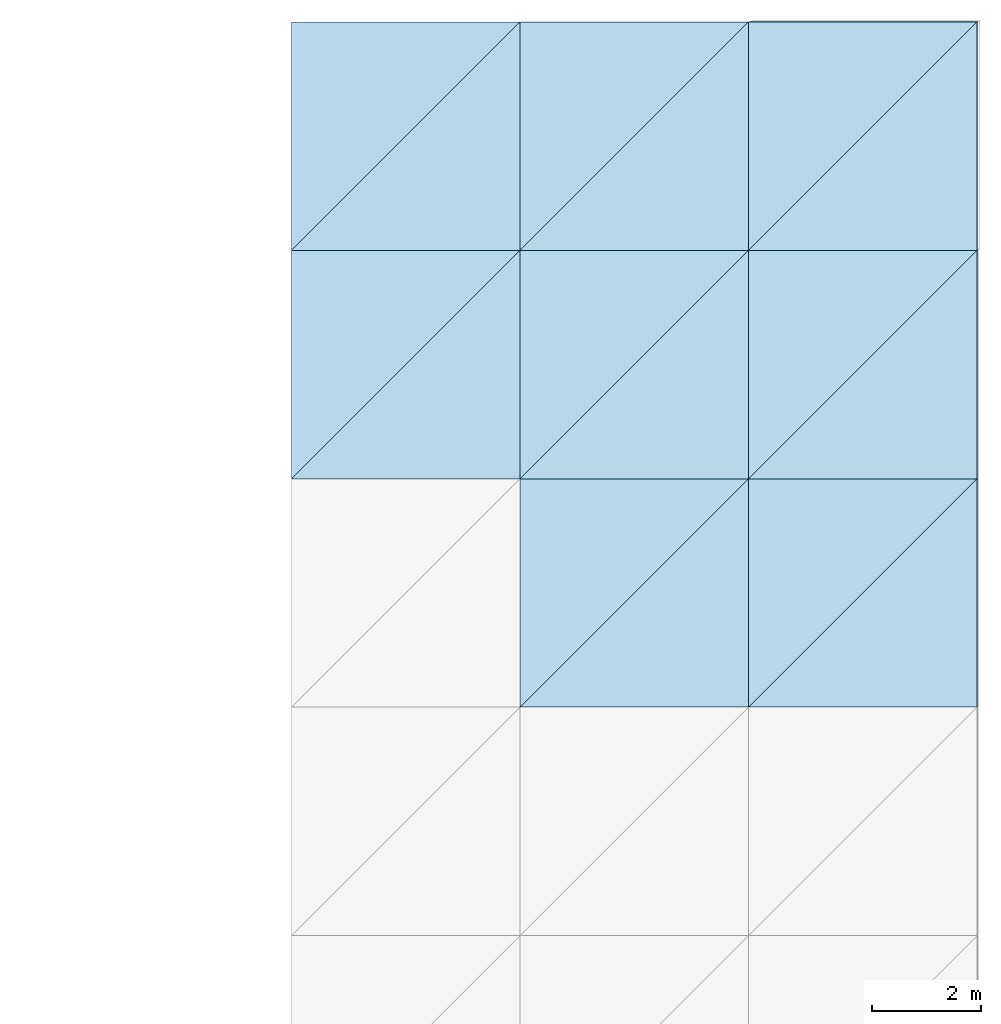
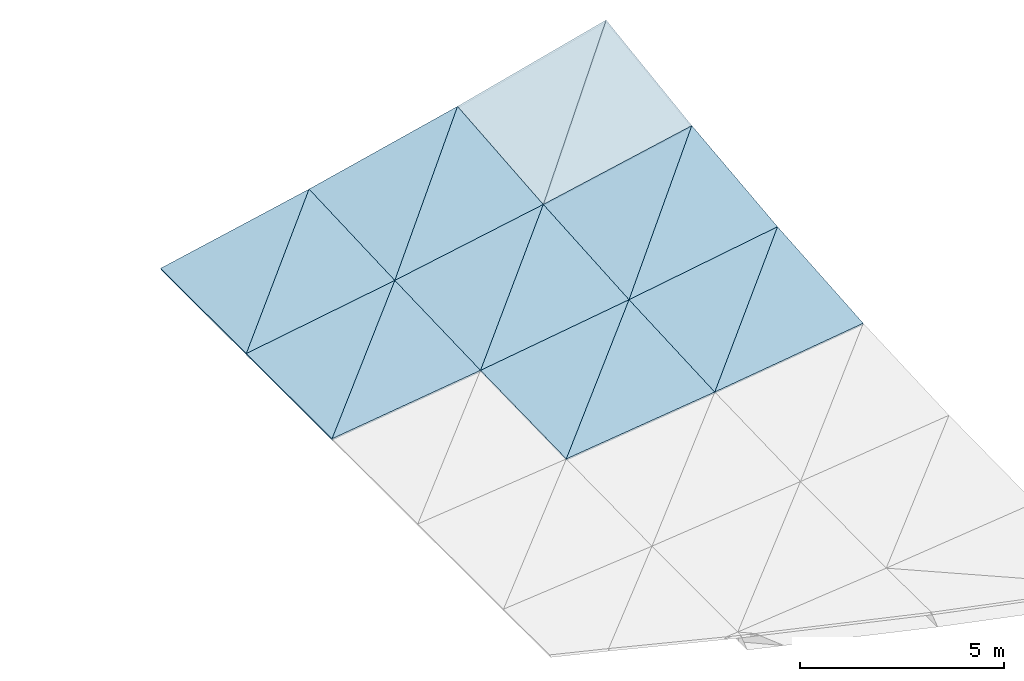
# One storey, part 86 of 93: 16 roofs.
"""IFC4 building model written with IfcOpenShell, lengths in metres."""

from ifc_helpers import new_model, si_unit, direction, frame, origin, place, context, subcontext, project, spatial, polyline, outline, extrude, material, layer, layer_set, type_object, element, save


model = new_model("IFC4")

# Units and contexts
model_context = context("Model", 3, precision=1e-05, world=origin(), true_north=direction((0.0, 1.0)))
body_context = subcontext(model_context, "Body", "Model", "MODEL_VIEW")
ifc_project = project(units=[si_unit("LENGTHUNIT", "METRE"), si_unit("AREAUNIT", "SQUARE_METRE"), si_unit("VOLUMEUNIT", "CUBIC_METRE"), si_unit("PLANEANGLEUNIT", "RADIAN"), si_unit("MASSUNIT", "GRAM", prefix="KILO")], contexts=[model_context])

# Site, building, storey
site_placement = place(None, origin())
site = spatial("IfcSite", under=ifc_project, at=site_placement, CompositionType="ELEMENT")
building_placement = place(site_placement, origin())
building = spatial("IfcBuilding", under=site, at=building_placement, Name="Cumbredor Promenade Congress Hotel", CompositionType="ELEMENT")
storey_placement = place(building_placement, frame((0.0, 0.0, 21.840087890625)))
storey = spatial("IfcBuildingStorey", under=building, at=storey_placement, Name="L06", CompositionType="ELEMENT", Elevation=21.840087890625)

# Roofs
ifc_material = material(Name="Standing-seam zinc-aluminium roofing", Category="aluminium")
ifc_layer = layer(ifc_material, 0.050048828125, Name="Standing-seam zinc-aluminium roofing", Category="aluminium")
ifc_layer_set = layer_set([ifc_layer], Name="Standing-seam zinc-aluminium roofing")
roof_type = type_object("IfcRoofType", Name="Sweeping Pavilion Standing-Seam Roof Skin 50mm", PredefinedType="FREEFORM", material=ifc_layer_set)
roof_1_placement = place(storey_placement, frame((168.0, 113.39990234375, -0.20751953125), z_axis=(-0.135666125055, -0.033612393621, 0.99018428058), x_axis=(0.990744106627, 0.0, 0.135742827374)))
element("IfcRoof", 1, at=roof_1_placement, inside=storey, type_object=roof_type, Name="Pre-Function and Breakout Meeting Forum Standing-Seam Roof Skin 20.9.1", PredefinedType="FREEFORM", context=body_context, shape_type="SweptSolid", body=[
    extrude(outline(polyline([(0.0, 0.0), (4.23918865000686, 0.0), (4.2585426078160875, 4.202570000510713), (0.0, 0.0)])), origin(), (0.0, 0.0, -1.0), 0.050048828125),
])
roof_2_placement = place(storey_placement, frame((168.0, 113.39990234375, -0.20751953125), z_axis=(-0.168291026532, -0.000229187939, 0.98573732701), x_axis=(0.701975995722, 0.702016801163, 0.120008800989)))
element("IfcRoof", 2, at=roof_2_placement, inside=storey, type_object=roof_type, Name="Pre-Function and Breakout Meeting Forum Standing-Seam Roof Skin 20.9.2", PredefinedType="FREEFORM", context=body_context, shape_type="SweptSolid", body=[
    extrude(outline(polyline([(0.0, 0.0), (5.983041012042091, 2.7755575615628914e-17), (2.9487248736352125, 2.9910973298149774), (0.0, 0.0)])), origin(), (0.0, 0.0, -1.0), 0.050048828125),
])
roof_3_placement = place(storey_placement, frame((168.0, 117.60009765625, -0.20654296875), z_axis=(-0.168135012328, -0.043049890797, 0.984823499177), x_axis=(0.985737352899, 0.0, 0.168291030952)))
element("IfcRoof", 3, at=roof_3_placement, inside=storey, type_object=roof_type, Name="Pre-Function and Breakout Meeting Forum Standing-Seam Roof Skin 20.10.1", PredefinedType="FREEFORM", context=body_context, shape_type="SweptSolid", body=[
    extrude(outline(polyline([(0.0, 0.0), (4.260720322225189, 0.0), (4.2916175036890145, 4.203848460084026), (0.0, 0.0)])), origin(), (0.0, 0.0, -1.0), 0.050048828125),
])
roof_4_placement = place(storey_placement, frame((168.0, 117.60009765625, -0.20654296875), z_axis=(-0.209346626086, -0.000341047993, 0.977841435936), x_axis=(0.69911538403, 0.69911538403, 0.149917842916)))
element("IfcRoof", 4, at=roof_4_placement, inside=storey, type_object=roof_type, Name="Pre-Function and Breakout Meeting Forum Standing-Seam Roof Skin 20.10.2", PredefinedType="FREEFORM", context=body_context, shape_type="SweptSolid", body=[
    extrude(outline(polyline([(0.0, 0.0), (6.007522174184693, 8.326672684688674e-17), (2.9364700826486376, 3.002787945495137), (0.0, 0.0)])), origin(), (0.0, 0.0, -1.0), 0.050048828125),
])
roof_5_placement = place(storey_placement, frame((172.199951171875, 109.199951171875, 0.265869140625), z_axis=(-0.125044532081, -0.050743543419, 0.990852641818), x_axis=(0.992130787478, 0.0, 0.125205832681)))
element("IfcRoof", 5, at=roof_5_placement, inside=storey, type_object=roof_type, Name="Pre-Function and Breakout Meeting Forum Standing-Seam Roof Skin 21.8.1", PredefinedType="FREEFORM", context=body_context, shape_type="SweptSolid", body=[
    extrude(outline(polyline([(0.0, 0.0), (4.233263622984044, -1.0408340855860843e-17), (4.2601938814294025, 4.205368878946026), (0.0, 0.0)])), origin(), (0.0, 0.0, -1.0), 0.050048828125),
])
roof_6_placement = place(storey_placement, frame((172.199951171875, 109.199951171875, 0.265869140625), z_axis=(-0.151305392608, -0.024011258204, 0.988195394468), x_axis=(0.701607621569, 0.701607621569, 0.124472851307)))
element("IfcRoof", 6, at=roof_6_placement, inside=storey, type_object=roof_type, Name="Pre-Function and Breakout Meeting Forum Standing-Seam Roof Skin 21.8.2", PredefinedType="FREEFORM", context=body_context, shape_type="SweptSolid", body=[
    extrude(outline(polyline([(0.0, 0.0), (5.986182365696545, 4.0245584642661925e-16), (2.9594203041256657, 2.9819181195359263), (0.0, 0.0)])), origin(), (0.0, 0.0, -1.0), 0.050048828125),
])
roof_7_placement = place(storey_placement, frame((172.199951171875, 113.39990234375, 0.367919921875), z_axis=(-0.15097065366, -0.070666665144, 0.986009170429), x_axis=(0.988480385049, 0.0, 0.151349028322)))
element("IfcRoof", 7, at=roof_7_placement, inside=storey, type_object=roof_type, Name="Pre-Function and Breakout Meeting Forum Standing-Seam Roof Skin 21.9.1", PredefinedType="FREEFORM", context=body_context, shape_type="SweptSolid", body=[
    extrude(outline(polyline([(0.0, 0.0), (4.2488968272931125, 0.0), (4.294456727664368, 4.210722176114931), (0.0, 0.0)])), origin(), (0.0, 0.0, -1.0), 0.050048828125),
])
roof_8_placement = place(storey_placement, frame((172.199951171875, 113.39990234375, 0.367919921875), z_axis=(-0.187351693575, -0.033325321134, 0.981727439713), x_axis=(0.698320416659, 0.698361009603, 0.156972914679)))
element("IfcRoof", 8, at=roof_8_placement, inside=storey, type_object=roof_type, Name="Pre-Function and Breakout Meeting Forum Standing-Seam Roof Skin 21.9.2", PredefinedType="FREEFORM", context=body_context, shape_type="SweptSolid", body=[
    extrude(outline(polyline([(0.0, 0.0), (6.014361132340478, -2.220446049250313e-16), (2.9556335428191525, 2.9876746050127005), (0.0, 0.0)])), origin(), (0.0, 0.0, -1.0), 0.050048828125),
])
roof_9_placement = place(storey_placement, frame((172.199951171875, 117.60009765625, 0.510498046875), z_axis=(-0.186691855412, -0.090189851564, 0.97826987166), x_axis=(0.982273036172, 0.0, 0.187455814553)))
element("IfcRoof", 9, at=roof_9_placement, inside=storey, type_object=roof_type, Name="Pre-Function and Breakout Meeting Forum Standing-Seam Roof Skin 21.10.1", PredefinedType="FREEFORM", context=body_context, shape_type="SweptSolid", body=[
    extrude(outline(polyline([(0.0, 0.0), (4.275747187607885, 0.0), (4.348331397051436, 4.217137733549034), (0.0, 0.0)])), origin(), (0.0, 0.0, -1.0), 0.050048828125),
])
roof_10_placement = place(storey_placement, frame((172.199951171875, 117.60009765625, 0.510498046875), z_axis=(-0.232536381099, -0.042474461644, 0.971659792095), x_axis=(0.693357389957, 0.693357389957, 0.196242349108)))
element("IfcRoof", 10, at=roof_10_placement, inside=storey, type_object=roof_type, Name="Pre-Function and Breakout Meeting Forum Standing-Seam Roof Skin 21.10.2", PredefinedType="FREEFORM", context=body_context, shape_type="SweptSolid", body=[
    extrude(outline(polyline([(0.0, 0.0), (6.057411708172589, -2.7755575615628914e-17), (2.9480960512606336, 2.9970028668178994), (0.0, 0.0)])), origin(), (0.0, 0.0, -1.0), 0.050048828125),
])
roof_11_placement = place(storey_placement, frame((176.39990234375, 109.199951171875, 0.7958984375), z_axis=(-0.137722332258, -0.079940983666, 0.987239585069), x_axis=(0.990409292673, 0.0, 0.138164514207)))
element("IfcRoof", 11, at=roof_11_placement, inside=storey, type_object=roof_type, Name="Pre-Function and Breakout Meeting Forum Standing-Seam Roof Skin 22.8.1", PredefinedType="FREEFORM", context=body_context, shape_type="SweptSolid", body=[
    extrude(outline(polyline([(0.0, 0.0), (4.240868238586673, 0.0), (4.287856316782541, 4.213435859247345), (0.0, 0.0)])), origin(), (0.0, 0.0, -1.0), 0.050048828125),
])
roof_12_placement = place(storey_placement, frame((176.39990234375, 109.199951171875, 0.7958984375), z_axis=(-0.166676815077, -0.050429536379, 0.984721128633), x_axis=(0.698687383895, 0.69864677198, 0.154040993206)))
element("IfcRoof", 12, at=roof_12_placement, inside=storey, type_object=roof_type, Name="Pre-Function and Breakout Meeting Forum Standing-Seam Roof Skin 22.8.2", PredefinedType="FREEFORM", context=body_context, shape_type="SweptSolid", body=[
    extrude(outline(polyline([(0.0, 0.0), (6.011551674348591, 3.469446951953614e-16), (2.9674146810027895, 2.9799836841494307), (0.0, 0.0)])), origin(), (0.0, 0.0, -1.0), 0.050048828125),
])
roof_13_placement = place(storey_placement, frame((176.39990234375, 113.39990234375, 1.010986328125), z_axis=(-0.165856647342, -0.111064719202, 0.979875604697), x_axis=(0.985975662911, 0.0, 0.166889161265)))
element("IfcRoof", 13, at=roof_13_placement, inside=storey, type_object=roof_type, Name="Pre-Function and Breakout Meeting Forum Standing-Seam Roof Skin 22.9.1", PredefinedType="FREEFORM", context=body_context, shape_type="SweptSolid", body=[
    extrude(outline(polyline([(0.0, 0.0), (4.2599381206835885, -1.3877787807814457e-17), (4.339389747750477, 4.2263429538859985), (0.0, 0.0)])), origin(), (0.0, 0.0, -1.0), 0.050048828125),
])
roof_14_placement = place(storey_placement, frame((176.39990234375, 113.39990234375, 1.010986328125), z_axis=(-0.205891787829, -0.06995441565, 0.976071181541), x_axis=(0.693397301857, 0.693397301857, 0.195960107047)))
element("IfcRoof", 14, at=roof_14_placement, inside=storey, type_object=roof_type, Name="Pre-Function and Breakout Meeting Forum Standing-Seam Roof Skin 22.9.2", PredefinedType="FREEFORM", context=body_context, shape_type="SweptSolid", body=[
    extrude(outline(polyline([(0.0, 0.0), (6.05741513739514, 2.7755575615628914e-17), (2.9713930647322635, 2.983802976707564), (0.0, 0.0)])), origin(), (0.0, 0.0, -1.0), 0.050048828125),
])
roof_15_placement = place(storey_placement, frame((176.39990234375, 117.60009765625, 1.31201171875), z_axis=(-0.204332209484, -0.141109474374, 0.968677688609), x_axis=(0.978468243731, 0.0, 0.206397422489)))
element("IfcRoof", 15, at=roof_15_placement, inside=storey, type_object=roof_type, Name="Pre-Function and Breakout Meeting Forum Standing-Seam Roof Skin 22.10.1", PredefinedType="FREEFORM", context=body_context, shape_type="SweptSolid", body=[
    extrude(outline(polyline([(0.0, 0.0), (4.292623025234267, -1.3877787807814457e-17), (4.4189003545207095, 4.242400640816369), (0.0, 0.0)])), origin(), (0.0, 0.0, -1.0), 0.050048828125),
])
roof_16_placement = place(storey_placement, frame((176.39990234375, 117.60009765625, 1.31201171875), z_axis=(-0.254620601511, -0.088778137677, 0.962957315542), x_axis=(0.68566376361, 0.685623908706, 0.244509834326)))
element("IfcRoof", 16, at=roof_16_placement, inside=storey, type_object=roof_type, Name="Pre-Function and Breakout Meeting Forum Standing-Seam Roof Skin 22.10.2", PredefinedType="FREEFORM", context=body_context, shape_type="SweptSolid", body=[
    extrude(outline(polyline([(0.0, 0.0), (6.125736163138468, 0.0), (2.9742628658977437, 2.990531647671593), (0.0, 0.0)])), origin(), (0.0, 0.0, -1.0), 0.050048828125),
])

save(model, "model.ifc")
